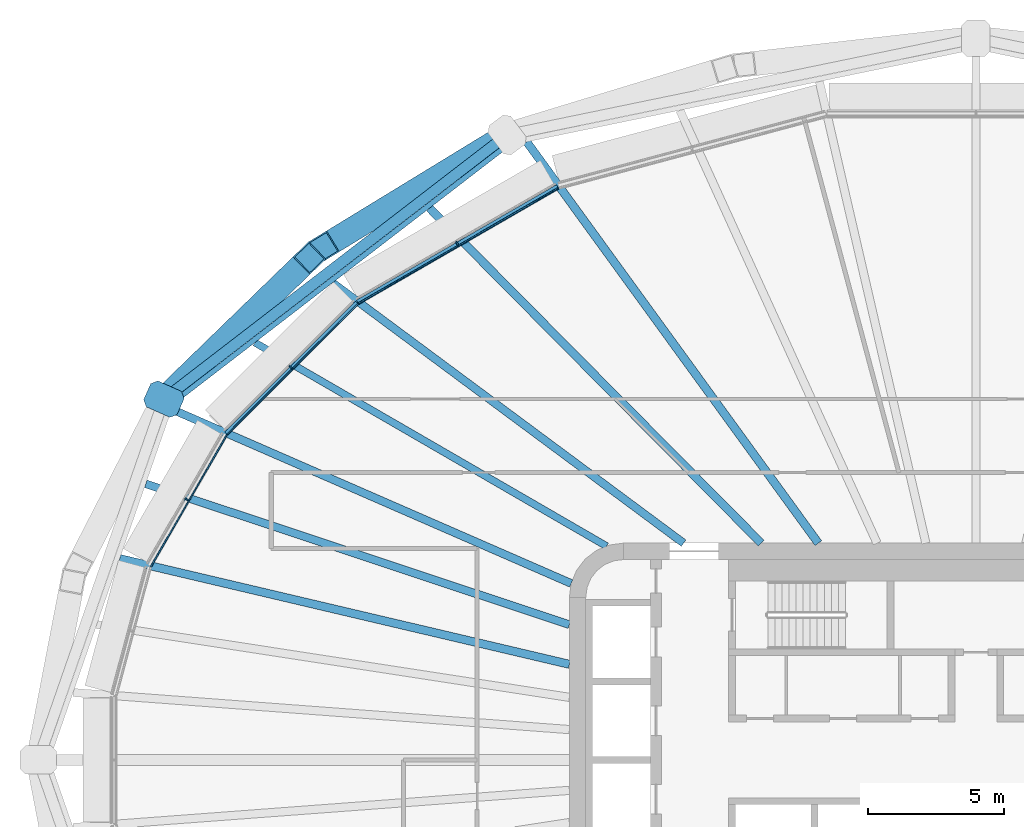
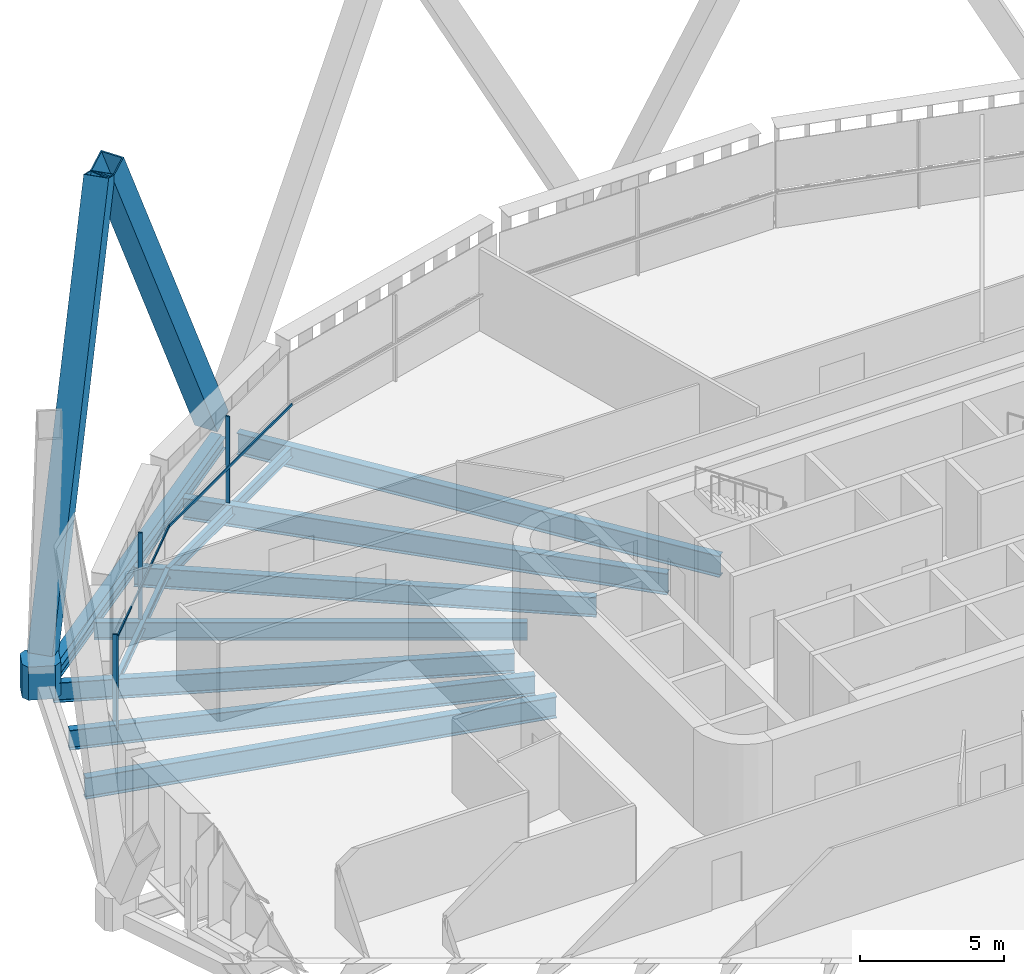
# One storey, part 7 of 25: 11 beams, 9 members, 3 elements without a shape of their own.
"""IFC4 building model written with IfcOpenShell, lengths in metres."""

from ifc_helpers import new_model, si_unit, direction, frame, origin, origin_2d, place, context, subcontext, project, spatial, polyline, rectangle, hollow_rectangle, i_section, outline, extrude, material, layer, layer_set, material_profile, profile_set, type_object, element, aggregate, save


model = new_model("IFC4")

# Units and contexts
model_context = context("Model", 3, precision=1e-05, world=origin(), true_north=direction((0.0, 1.0)))
body_context = subcontext(model_context, "Body", "Model", "MODEL_VIEW")
ifc_project = project(units=[si_unit("LENGTHUNIT", "METRE"), si_unit("AREAUNIT", "SQUARE_METRE"), si_unit("VOLUMEUNIT", "CUBIC_METRE"), si_unit("PLANEANGLEUNIT", "RADIAN"), si_unit("MASSUNIT", "GRAM", prefix="KILO")], contexts=[model_context])

# Site, building, storey
site_placement = place(None, origin())
site = spatial("IfcSite", under=ifc_project, at=site_placement, CompositionType="ELEMENT")
building_placement = place(site_placement, origin())
building = spatial("IfcBuilding", under=site, at=building_placement, Name="Sahrelin Media Tower", CompositionType="ELEMENT")
storey_placement = place(building_placement, frame((0.0, 0.0, 114.60009765625)))
storey = spatial("IfcBuildingStorey", under=building, at=storey_placement, Name="L22", CompositionType="ELEMENT", Elevation=114.60009765625)

# Members
ifc_material_1 = material(Name="Steel S460", Category="steel")
ifc_material_profile_1 = material_profile(ifc_material_1, hollow_rectangle(XDim=0.89990234375, YDim=0.89990234375, WallThickness=0.050048828125, at=origin_2d()), Name="Diagrid diagonal DG3")
ifc_profile_set_1 = profile_set([ifc_material_profile_1], Name="Steel S460")
member_type_1 = type_object("IfcMemberType", Name="Diagrid diagonal DG3", PredefinedType="BRACE", material=ifc_profile_set_1)
member_1_placement = place(storey_placement, frame((-17.59130859375, 22.880126953125, 0.699951171875), z_axis=(-0.377075891817, -0.230216401797, 0.897114362918), x_axis=(0.521089269606, -0.853502181076, 0.0)))
element("IfcMember", 1, at=member_1_placement, inside=storey, type_object=member_type_1, Name="Diagrid diagonal D04-08", PredefinedType="BRACE", context=body_context, shape_type="SweptSolid", body=[
    extrude(hollow_rectangle(XDim=0.89990234375, YDim=0.89990234375, WallThickness=0.050048828125, at=origin_2d()), origin(), (0.0, 0.0, 1.0), 17.166015625),
])
member_2_placement = place(storey_placement, frame((-29.72607421875, 13.5400390625, 0.699951171875), z_axis=(0.302361826208, 0.293404554799, 0.906912946911), x_axis=(-0.696396816197, 0.717656933632, 0.0)))
element("IfcMember", 2, at=member_2_placement, inside=storey, type_object=member_type_1, Name="Diagrid diagonal D04-09", PredefinedType="BRACE", context=body_context, shape_type="SweptSolid", body=[
    extrude(hollow_rectangle(XDim=0.89990234375, YDim=0.89990234375, WallThickness=0.050048828125, at=origin_2d()), origin(), (0.0, 0.0, 1.0), 16.98046875),
])
ifc_material_profile_2 = material_profile(ifc_material_1, outline(polyline([(0.47509765625, -0.52490234375), (0.675048828125, -0.324951171875), (0.675048828125, 0.324951171875), (0.47509765625, 0.52490234375), (-0.47509765625, 0.52490234375), (-0.675048828125, 0.324951171875), (-0.675048828125, -0.324951171875), (-0.47509765625, -0.52490234375), (0.47509765625, -0.52490234375)])), Name="Diagrid node block 1350")
ifc_profile_set_2 = profile_set([ifc_material_profile_2], Name="Steel S460")
member_type_2 = type_object("IfcMemberType", Name="Diagrid node block 1350", PredefinedType="USERDEFINED", material=ifc_profile_set_2)
member_3_placement = place(storey_placement, frame((-29.95947265625, 13.313720703125, -0.7001953125), z_axis=(0.0, 0.0, 1.0), x_axis=(-0.913831317054, 0.40609398416, 0.0)))
element("IfcMember", 3, at=member_3_placement, inside=storey, type_object=member_type_2, Name="Diagrid node N04-05", ObjectType="NODE", PredefinedType="USERDEFINED", context=body_context, shape_type="SweptSolid", body=[
    extrude(outline(polyline([(0.47509765625, -0.52490234375), (0.675048828125, -0.324951171875), (0.675048828125, 0.324951171875), (0.47509765625, 0.52490234375), (-0.47509765625, 0.52490234375), (-0.675048828125, 0.324951171875), (-0.675048828125, -0.324951171875), (-0.47509765625, -0.52490234375), (0.47509765625, -0.52490234375)])), origin(), (0.0, 0.0, 1.0), 1.400146484375),
])

# Beams
ifc_material_profile_3 = material_profile(ifc_material_1, hollow_rectangle(XDim=0.39990234375, YDim=0.60009765625, WallThickness=0.030029296875, at=origin_2d()), Name="Diagrid ring beam RB1")
ifc_profile_set_3 = profile_set([ifc_material_profile_3], Name="Steel S460")
beam_type_1 = type_object("IfcBeamType", Name="Diagrid ring beam RB1", PredefinedType="BEAM", material=ifc_profile_set_3)
beam_1_placement = place(storey_placement, frame((-17.297119140625, 23.059814453125, -0.4501953125), z_axis=(-0.792447877792, -0.609939637163, 0.0), x_axis=(0.609939637163, -0.792447877792, 0.0)))
element("IfcBeam", 4, at=beam_1_placement, inside=storey, type_object=beam_type_1, Name="Diagrid ring beam RB04-04", PredefinedType="BEAM", context=body_context, shape_type="SweptSolid", body=[
    extrude(hollow_rectangle(XDim=0.39990234375, YDim=0.60009765625, WallThickness=0.030029296875, at=origin_2d()), origin(), (0.0, 0.0, 1.0), 15.978759765625),
])
ifc_material_2 = material(Name="Steel S355", Category="steel")
ifc_material_profile_4 = material_profile(ifc_material_2, i_section(OverallWidth=0.17138671875, OverallDepth=0.35498046875, WebThickness=0.00732421875, FlangeThickness=0.011474609375, FilletRadius=0.01025390625, at=origin_2d()), Name="UB 356x171x51")
ifc_profile_set_4 = profile_set([ifc_material_profile_4], Name="Steel S355")
beam_type_2 = type_object("IfcBeamType", Name="Edge beam EB3", PredefinedType="BEAM", material=ifc_profile_set_4)
beam_2_placement = place(storey_placement, frame((-27.656494140625, 12.037109375, -0.32763671875), z_axis=(0.707106781187, 0.707106781187, 0.0), x_axis=(-0.707106781187, 0.707106781187, 0.0)))
element("IfcBeam", 5, at=beam_2_placement, inside=storey, type_object=beam_type_2, Name="Edge beam L22-16", PredefinedType="BEAM", context=body_context, shape_type="SweptSolid", body=[
    extrude(i_section(OverallWidth=0.17138671875, OverallDepth=0.35498046875, WebThickness=0.00732421875, FlangeThickness=0.011474609375, FilletRadius=0.01025390625, at=origin_2d()), origin(), (0.0, 0.0, 1.0), 6.82666015625),
])
ifc_material_profile_5 = material_profile(ifc_material_2, i_section(OverallWidth=0.1904296875, OverallDepth=0.45703125, WebThickness=0.009033203125, FlangeThickness=0.014404296875, FilletRadius=0.01025390625, at=origin_2d()), Name="UB 457x191x74")
ifc_profile_set_5 = profile_set([ifc_material_profile_5], Name="Steel S355")
beam_type_3 = type_object("IfcBeamType", Name="Edge beam EB5", PredefinedType="BEAM", material=ifc_profile_set_5)
beam_3_placement = place(storey_placement, frame((-22.806396484375, 16.8818359375, -0.378662109375), z_axis=(0.866015300231, 0.500017499459, 0.0), x_axis=(-0.500017499459, 0.866015300231, 0.0)))
element("IfcBeam", 6, at=beam_3_placement, inside=storey, type_object=beam_type_3, Name="Edge beam L22-17", PredefinedType="BEAM", context=body_context, shape_type="SweptSolid", body=[
    extrude(i_section(OverallWidth=0.1904296875, OverallDepth=0.45703125, WebThickness=0.009033203125, FlangeThickness=0.014404296875, FilletRadius=0.01025390625, at=origin_2d()), origin(), (0.0, 0.0, 1.0), 8.523681640625),
])

# Curtain wall, member
ifc_material_3 = material(Name="Champagne anodised aluminium 6063-T6", Category="aluminium")
ifc_layer = layer(ifc_material_3, 0.14990234375)
ifc_layer_set = layer_set([ifc_layer], Name="Tower ribbon curtain wall")
curtain_wall_type = type_object("IfcCurtainWallType", Name="Tower ribbon curtain wall", PredefinedType="NOTDEFINED", material=ifc_layer_set)
curtain_wall_1_placement = place(storey_placement, frame((-19.190673828125, 19.142578125, 0.0), z_axis=(0.0, 0.0, 1.0), x_axis=(1.0, 0.0, 0.0)))
curtain_wall_1 = element("IfcCurtainWall", 7, at=curtain_wall_1_placement, inside=storey, type_object=curtain_wall_type, Name="L22:CW:L22-08", PredefinedType="NOTDEFINED")
ifc_material_profile_6 = material_profile(ifc_material_3, rectangle(XDim=0.06005859375, YDim=0.14990234375, at=origin_2d()), Name="Mullion 60x150")
ifc_profile_set_6 = profile_set([ifc_material_profile_6], Name="Champagne anodised aluminium 6063-T6")
member_type_3 = type_object("IfcMemberType", Name="Mullion 60x150 CW1", PredefinedType="MULLION", material=ifc_profile_set_6)
member_4_placement = place(storey_placement, frame((-19.143310546875, 19.060302734375, 0.0), z_axis=(0.0, 0.0, 1.0), x_axis=(-0.866026276448, -0.4999984885, 0.0)))
member_4 = element("IfcMember", 8, at=member_4_placement, type_object=member_type_3, Name="L22:CWM:L22-08", PredefinedType="MULLION", context=body_context, shape_type="SweptSolid", body=[
    extrude(rectangle(XDim=0.06005859375, YDim=0.14990234375, at=origin_2d()), origin(), (0.0, 0.0, 1.0), 3.6484375),
])

curtain_wall_2_placement = place(storey_placement, frame((-25.348876953125, 14.556884765625, 0.0), z_axis=(0.0, 0.0, 1.0), x_axis=(1.0, 0.0, 0.0)))
curtain_wall_2 = element("IfcCurtainWall", 9, at=curtain_wall_2_placement, inside=storey, type_object=curtain_wall_type, Name="L22:CW:L22-09", PredefinedType="NOTDEFINED")
member_5_placement = place(storey_placement, frame((-25.28173828125, 14.489501953125, 0.0), z_axis=(0.0, 0.0, 1.0), x_axis=(-0.707099376343, -0.707114185953, 0.0)))
member_5 = element("IfcMember", 10, at=member_5_placement, type_object=member_type_3, Name="L22:CWM:L22-09", PredefinedType="MULLION", context=body_context, shape_type="SweptSolid", body=[
    extrude(rectangle(XDim=0.06005859375, YDim=0.14990234375, at=origin_2d()), origin(), (0.0, 0.0, 1.0), 3.6484375),
])

curtain_wall_3_placement = place(storey_placement, frame((-29.205810546875, 9.661376953125, 0.0), z_axis=(0.0, 0.0, 1.0), x_axis=(1.0, 0.0, 0.0)))
curtain_wall_3 = element("IfcCurtainWall", 11, at=curtain_wall_3_placement, inside=storey, type_object=curtain_wall_type, Name="L22:CW:L22-10", PredefinedType="NOTDEFINED")
member_6_placement = place(storey_placement, frame((-29.123291015625, 9.61376953125, 0.0), z_axis=(0.0, 0.0, 1.0), x_axis=(-0.499990930976, -0.866030639725, 0.0)))
member_6 = element("IfcMember", 12, at=member_6_placement, type_object=member_type_3, Name="L22:CWM:L22-10", PredefinedType="MULLION", context=body_context, shape_type="SweptSolid", body=[
    extrude(rectangle(XDim=0.06005859375, YDim=0.14990234375, at=origin_2d()), origin(), (0.0, 0.0, 1.0), 3.6484375),
])

# Beams
ifc_material_profile_7 = material_profile(ifc_material_2, i_section(OverallWidth=0.291748046875, OverallDepth=0.8349609375, WebThickness=0.013916015625, FlangeThickness=0.018798828125, FilletRadius=0.017822265625, at=origin_2d()), Name="UB 838x292x176")
ifc_profile_set_7 = profile_set([ifc_material_profile_7], Name="Steel S355")
beam_type_4 = type_object("IfcBeamType", Name="Radial primary beam PB10", PredefinedType="BEAM", material=ifc_profile_set_7)
beam_4_placement = place(storey_placement, frame((-10.78515625, 8.0, -0.567626953125), z_axis=(-0.803166740264, 0.595754301146, 0.0), x_axis=(-0.595754301146, -0.803166740264, 0.0)))
element("IfcBeam", 13, at=beam_4_placement, inside=storey, type_object=beam_type_4, Name="Radial beam L22-09", PredefinedType="BEAM", context=body_context, shape_type="SweptSolid", body=[
    extrude(i_section(OverallWidth=0.291748046875, OverallDepth=0.8349609375, WebThickness=0.013916015625, FlangeThickness=0.018798828125, FilletRadius=0.017822265625, at=origin_2d()), origin(), (0.0, 0.0, 1.0), 16.12353515625),
])
beam_5_placement = place(storey_placement, frame((-14.9326171875, 6.5126953125, -0.567626953125), z_axis=(-0.916611517945, 0.399779095465, 0.0), x_axis=(-0.399779095465, -0.916611517945, 0.0)))
element("IfcBeam", 14, at=beam_5_placement, inside=storey, type_object=beam_type_4, Name="Radial beam L22-10", PredefinedType="BEAM", context=body_context, shape_type="SweptSolid", body=[
    extrude(i_section(OverallWidth=0.291748046875, OverallDepth=0.8349609375, WebThickness=0.013916015625, FlangeThickness=0.018798828125, FilletRadius=0.017822265625, at=origin_2d()), origin(), (0.0, 0.0, 1.0), 16.078857421875),
])
ifc_material_profile_8 = material_profile(ifc_material_2, i_section(OverallWidth=0.30322265625, OverallDepth=0.903076171875, WebThickness=0.01513671875, FlangeThickness=0.020263671875, FilletRadius=0.01904296875, at=origin_2d()), Name="UB 914x305x201")
ifc_profile_set_8 = profile_set([ifc_material_profile_8], Name="Steel S355")
beam_type_5 = type_object("IfcBeamType", Name="Radial primary beam PB11", PredefinedType="BEAM", material=ifc_profile_set_8)
beam_6_placement = place(storey_placement, frame((-5.81298828125, 8.0, -0.6015625), z_axis=(-0.587818677526, 0.808992708466, 0.0), x_axis=(-0.808992708466, -0.587818677526, 0.0)))
element("IfcBeam", 15, at=beam_6_placement, inside=storey, type_object=beam_type_5, Name="Radial beam L22-08", PredefinedType="BEAM", context=body_context, shape_type="SweptSolid", body=[
    extrude(i_section(OverallWidth=0.30322265625, OverallDepth=0.903076171875, WebThickness=0.01513671875, FlangeThickness=0.020263671875, FilletRadius=0.01904296875, at=origin_2d()), origin(), (0.0, 0.0, 1.0), 18.3017578125),
])
beam_7_placement = place(storey_placement, frame((-15.0, 3.5283203125, -0.6015625), z_axis=(-0.97343238477, 0.228974654232, 0.0), x_axis=(-0.228974654232, -0.97343238477, 0.0)))
element("IfcBeam", 16, at=beam_7_placement, inside=storey, type_object=beam_type_5, Name="Radial beam L22-11", PredefinedType="BEAM", context=body_context, shape_type="SweptSolid", body=[
    extrude(i_section(OverallWidth=0.30322265625, OverallDepth=0.903076171875, WebThickness=0.01513671875, FlangeThickness=0.020263671875, FilletRadius=0.01904296875, at=origin_2d()), origin(), (0.0, 0.0, 1.0), 17.04150390625),
])
ifc_material_profile_9 = material_profile(ifc_material_2, i_section(OverallWidth=0.291748046875, OverallDepth=0.8349609375, WebThickness=0.013916015625, FlangeThickness=0.018798828125, FilletRadius=0.017822265625, at=origin_2d()), Name="UB 838x292x176")
ifc_profile_set_9 = profile_set([ifc_material_profile_9], Name="Steel S355")
beam_type_6 = type_object("IfcBeamType", Name="Radial secondary beam SB10", PredefinedType="BEAM", material=ifc_profile_set_9)
beam_8_placement = place(storey_placement, frame((-15.0, 4.989990234375, -0.567626953125), z_axis=(-0.948875817158, 0.315649621595, 0.0), x_axis=(-0.315649621595, -0.948875817158, 0.0)))
element("IfcBeam", 17, at=beam_8_placement, inside=storey, type_object=beam_type_6, Name="Secondary beam L22-10", PredefinedType="BEAM", context=body_context, shape_type="SweptSolid", body=[
    extrude(i_section(OverallWidth=0.291748046875, OverallDepth=0.8349609375, WebThickness=0.013916015625, FlangeThickness=0.018798828125, FilletRadius=0.017822265625, at=origin_2d()), origin(), (0.0, 0.0, 1.0), 16.470703125),
])
ifc_material_profile_10 = material_profile(ifc_material_2, i_section(OverallWidth=0.30322265625, OverallDepth=0.903076171875, WebThickness=0.01513671875, FlangeThickness=0.020263671875, FilletRadius=0.01904296875, at=origin_2d()), Name="UB 914x305x201")
ifc_profile_set_10 = profile_set([ifc_material_profile_10], Name="Steel S355")
beam_type_7 = type_object("IfcBeamType", Name="Radial secondary beam SB11", PredefinedType="BEAM", material=ifc_profile_set_10)
beam_9_placement = place(storey_placement, frame((-7.921630859375, 8.0, -0.6015625), z_axis=(-0.703616835697, 0.71057958634, 0.0), x_axis=(-0.71057958634, -0.703616835697, 0.0)))
element("IfcBeam", 18, at=beam_9_placement, inside=storey, type_object=beam_type_7, Name="Secondary beam L22-08", PredefinedType="BEAM", context=body_context, shape_type="SweptSolid", body=[
    extrude(i_section(OverallWidth=0.30322265625, OverallDepth=0.903076171875, WebThickness=0.01513671875, FlangeThickness=0.020263671875, FilletRadius=0.01904296875, at=origin_2d()), origin(), (0.0, 0.0, 1.0), 17.3916015625),
])
ifc_material_profile_11 = material_profile(ifc_material_2, i_section(OverallWidth=0.26513671875, OverallDepth=0.75390625, WebThickness=0.0126953125, FlangeThickness=0.017578125, FilletRadius=0.0166015625, at=origin_2d()), Name="UB 762x267x147")
ifc_profile_set_11 = profile_set([ifc_material_profile_11], Name="Steel S355")
beam_type_8 = type_object("IfcBeamType", Name="Radial secondary beam SB9", PredefinedType="BEAM", material=ifc_profile_set_11)
beam_10_placement = place(storey_placement, frame((-13.625244140625, 7.88720703125, -0.527099609375), z_axis=(-0.865456011638, 0.500984921848, 0.0), x_axis=(-0.500984921848, -0.865456011638, 0.0)))
element("IfcBeam", 19, at=beam_10_placement, inside=storey, type_object=beam_type_8, Name="Secondary beam L22-09", PredefinedType="BEAM", context=body_context, shape_type="SweptSolid", body=[
    extrude(i_section(OverallWidth=0.26513671875, OverallDepth=0.75390625, WebThickness=0.0126953125, FlangeThickness=0.017578125, FilletRadius=0.0166015625, at=origin_2d()), origin(), (0.0, 0.0, 1.0), 14.993896484375),
])
ifc_material_profile_12 = material_profile(ifc_material_2, i_section(OverallWidth=0.1904296875, OverallDepth=0.45703125, WebThickness=0.009033203125, FlangeThickness=0.014404296875, FilletRadius=0.01025390625, at=origin_2d()), Name="UB 457x191x74")
ifc_profile_set_12 = profile_set([ifc_material_profile_12], Name="Steel S355")
beam_type_9 = type_object("IfcBeamType", Name="Tie chord TC5", PredefinedType="BEAM", material=ifc_profile_set_12)
beam_11_placement = place(storey_placement, frame((-29.705322265625, 13.13037109375, -0.378662109375), z_axis=(0.79244496404, 0.60994342276, 0.0), x_axis=(-0.60994342276, 0.79244496404, 0.0)))
element("IfcBeam", 20, at=beam_11_placement, inside=storey, type_object=beam_type_9, Name="Tie chord L22-08", PredefinedType="BEAM", context=body_context, shape_type="SweptSolid", body=[
    extrude(i_section(OverallWidth=0.1904296875, OverallDepth=0.45703125, WebThickness=0.009033203125, FlangeThickness=0.014404296875, FilletRadius=0.01025390625, at=origin_2d()), origin(), (0.0, 0.0, 1.0), 15.820068359375),
])

# Member
ifc_material_profile_13 = material_profile(ifc_material_3, rectangle(XDim=0.050048828125, YDim=0.10009765625, at=origin_2d()), Name="Transom 50x100")
ifc_profile_set_13 = profile_set([ifc_material_profile_13], Name="Champagne anodised aluminium 6063-T6")
member_type_4 = type_object("IfcMemberType", Name="Transom 50x100 CW1", PredefinedType="USERDEFINED", material=ifc_profile_set_13)
member_7_placement = place(storey_placement, frame((-15.416015625, 21.0966796875, 1.599853515625), z_axis=(-0.866026642527, -0.499997854429, 0.0), x_axis=(0.499997854429, -0.866026642527, 0.0)))
member_7 = element("IfcMember", 21, at=member_7_placement, type_object=member_type_4, Name="L22:CWT:L22-08", ObjectType="TRANSOM", PredefinedType="USERDEFINED", context=body_context, shape_type="SweptSolid", body=[
    extrude(rectangle(XDim=0.050048828125, YDim=0.10009765625, at=origin_2d()), origin(), (0.0, 0.0, 1.0), 8.4921875),
])

aggregate(curtain_wall_1, [member_4, member_7])

member_8_placement = place(storey_placement, frame((-22.80859375, 16.8212890625, 1.599853515625), z_axis=(-0.707124745613, -0.707088816303, 0.0), x_axis=(0.707088816303, -0.707124745613, 0.0)))
member_8 = element("IfcMember", 22, at=member_8_placement, type_object=member_type_4, Name="L22:CWT:L22-09", ObjectType="TRANSOM", PredefinedType="USERDEFINED", context=body_context, shape_type="SweptSolid", body=[
    extrude(rectangle(XDim=0.050048828125, YDim=0.10009765625, at=origin_2d()), origin(), (0.0, 0.0, 1.0), 6.794921875),
])

aggregate(curtain_wall_2, [member_5, member_8])

member_9_placement = place(storey_placement, frame((-27.642822265625, 11.978271484375, 1.599853515625), z_axis=(-0.499986503906, -0.866033195618, 0.0), x_axis=(0.866033195618, -0.499986503906, 0.0)))
member_9 = element("IfcMember", 23, at=member_9_placement, type_object=member_type_4, Name="L22:CWT:L22-10", ObjectType="TRANSOM", PredefinedType="USERDEFINED", context=body_context, shape_type="SweptSolid", body=[
    extrude(rectangle(XDim=0.050048828125, YDim=0.10009765625, at=origin_2d()), origin(), (0.0, 0.0, 1.0), 5.575927734375),
])

aggregate(curtain_wall_3, [member_6, member_9])

save(model, "model.ifc")
